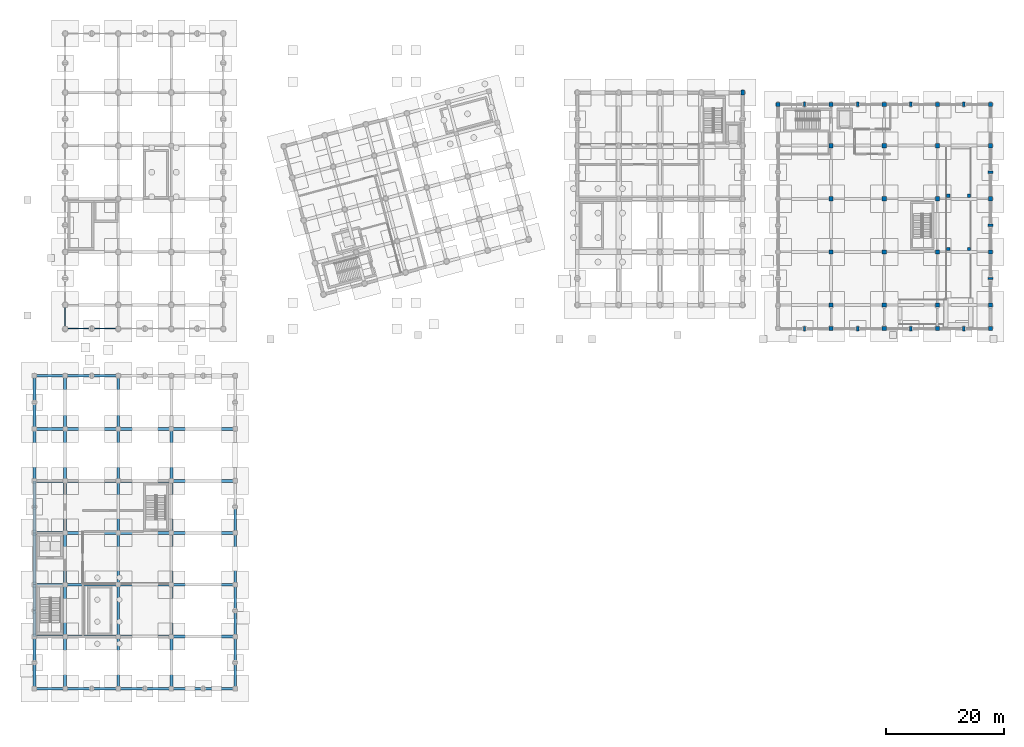
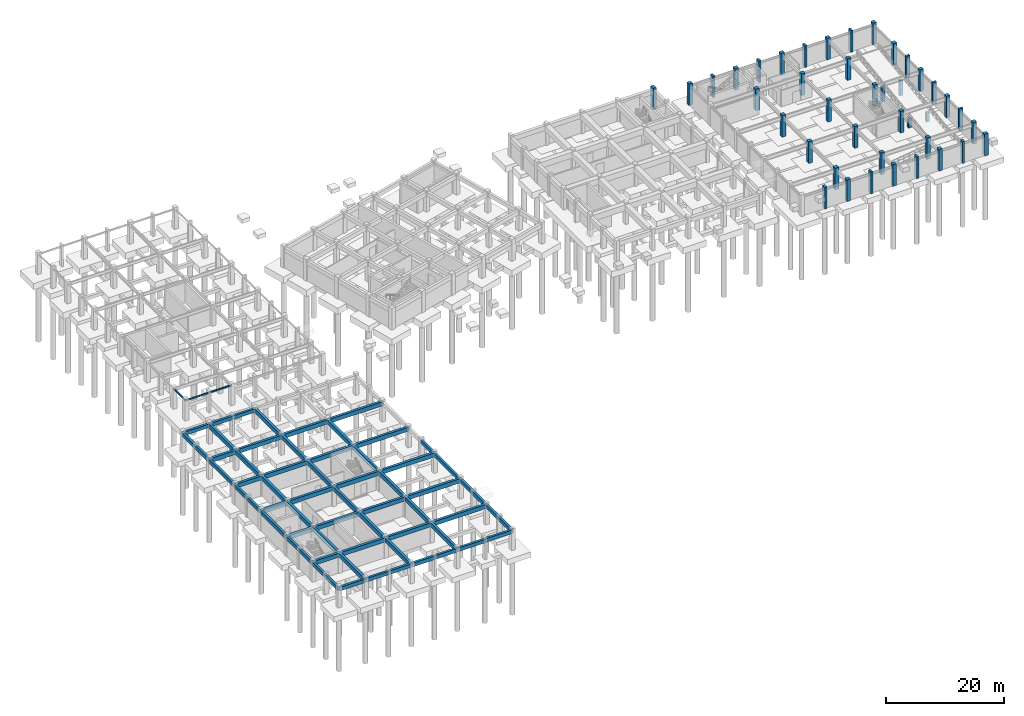
# One storey, part 7 of 20: 66 beams, 41 columns.
"""IFC4 building model written with IfcOpenShell, lengths in metres."""

from ifc_helpers import new_model, si_unit, direction, frame, origin, origin_2d, place, context, subcontext, project, spatial, rectangle, hollow_rectangle, extrude, material, material_profile, profile_set, type_object, element, save


model = new_model("IFC4")

# Units and contexts
model_context = context("Model", 3, precision=1e-05, world=origin(), true_north=direction((0.0, 1.0)))
body_context = subcontext(model_context, "Body", "Model", "MODEL_VIEW")
ifc_project = project(units=[si_unit("LENGTHUNIT", "METRE"), si_unit("AREAUNIT", "SQUARE_METRE"), si_unit("VOLUMEUNIT", "CUBIC_METRE"), si_unit("PLANEANGLEUNIT", "RADIAN"), si_unit("MASSUNIT", "GRAM", prefix="KILO")], contexts=[model_context])

# Site, building, storey
site_placement = place(None, origin())
site = spatial("IfcSite", under=ifc_project, at=site_placement, CompositionType="ELEMENT")
building_placement = place(site_placement, origin())
building = spatial("IfcBuilding", under=site, at=building_placement, Name="Ventoquebrada Cableway Terminal", CompositionType="ELEMENT")
storey_placement = place(building_placement, frame((0.0, 0.0, -4.5)))
storey = spatial("IfcBuildingStorey", under=building, at=storey_placement, Name="B1", CompositionType="ELEMENT", Elevation=-4.5)

# Columns
ifc_material_1 = material(Name="Concrete C40/50", Category="concrete")
ifc_material_profile_1 = material_profile(ifc_material_1, rectangle(XDim=0.550048828125, YDim=0.550048828125, at=origin_2d()), Name="RC-COL-550X550")
ifc_profile_set_1 = profile_set([ifc_material_profile_1], Name="Concrete C40/50")
column_type_1 = type_object("IfcColumnType", Name="COL-RC01", PredefinedType="COLUMN", material=ifc_profile_set_1)
for number, where, z_axis, x_axis, name in (
    (1, (157.85009765625, 77.5, 0.0), (0.0, 0.0, 1.0), (1.0, 0.0, 0.0), "Vehicle ramp support column COL-0778"),
    (2, (161.35009765625, 77.5, 0.0), (0.0, 0.0, 1.0), (1.0, 0.0, 0.0), "Vehicle ramp support column COL-0779"),
):
    element("IfcColumn", number, at=place(storey_placement, frame(where, z_axis=z_axis, x_axis=x_axis)), inside=storey, type_object=column_type_1, Name=name, PredefinedType="COLUMN", context=body_context, shape_type="SweptSolid", body=[
        extrude(rectangle(XDim=0.550048828125, YDim=0.550048828125, at=origin_2d()), origin(), (0.0, 0.0, 1.0), 1.904052734375),
    ])
for number, where, z_axis, x_axis, name in (
    (3, (157.85009765625, 86.5, 0.0), (0.0, 0.0, 1.0), (1.0, 0.0, 0.0), "Vehicle ramp support column COL-0780"),
    (4, (161.35009765625, 86.5, 0.0), (0.0, 0.0, 1.0), (1.0, 0.0, 0.0), "Vehicle ramp support column COL-0781"),
):
    element("IfcColumn", number, at=place(storey_placement, frame(where, z_axis=z_axis, x_axis=x_axis)), inside=storey, type_object=column_type_1, Name=name, PredefinedType="COLUMN", context=body_context, shape_type="SweptSolid", body=[
        extrude(rectangle(XDim=0.550048828125, YDim=0.550048828125, at=origin_2d()), origin(), (0.0, 0.0, 1.0), 3.136962890625),
    ])
ifc_material_profile_2 = material_profile(ifc_material_1, rectangle(XDim=0.699951171875, YDim=0.699951171875, at=origin_2d()), Name="RC-COL-700X700")
ifc_profile_set_2 = profile_set([ifc_material_profile_2], Name="Concrete C40/50")
column_type_2 = type_object("IfcColumnType", Name="COL-RC04", PredefinedType="COLUMN", material=ifc_profile_set_2)
for number, where, z_axis, x_axis, name in (
    (5, (129.0, 102.0, 0.0), (0.0, 0.0, 1.0), (1.0, 0.0, 0.0), "Structural column FC-0538"),
    (6, (138.0, 64.0, 0.0), (0.0, 0.0, 1.0), (1.0, 0.0, 0.0), "Structural column FC-0542"),
    (7, (138.0, 68.0, 0.0), (0.0, 0.0, 1.0), (1.0, 0.0, 0.0), "Structural column FC-0544"),
    (8, (138.0, 77.0, 0.0), (0.0, 0.0, 1.0), (1.0, 0.0, 0.0), "Structural column FC-0546"),
    (9, (138.0, 86.0, 0.0), (0.0, 0.0, 1.0), (1.0, 0.0, 0.0), "Structural column FC-0550"),
    (10, (138.0, 95.0, 0.0), (0.0, 0.0, 1.0), (1.0, 0.0, 0.0), "Structural column FC-0554"),
    (11, (138.0, 102.0, 0.0), (0.0, 0.0, 1.0), (1.0, 0.0, 0.0), "Structural column FC-0558"),
    (12, (147.0, 64.0, 0.0), (0.0, 0.0, 1.0), (1.0, 0.0, 0.0), "Structural column FC-0562"),
    (13, (147.0, 68.0, 0.0), (0.0, 0.0, 1.0), (1.0, 0.0, 0.0), "Structural column FC-0564"),
    (14, (147.0, 77.0, 0.0), (0.0, 0.0, 1.0), (1.0, 0.0, 0.0), "Structural column FC-0566"),
    (15, (147.0, 86.0, 0.0), (0.0, 0.0, 1.0), (1.0, 0.0, 0.0), "Structural column FC-0570"),
    (16, (147.0, 95.0, 0.0), (0.0, 0.0, 1.0), (1.0, 0.0, 0.0), "Structural column FC-0574"),
    (17, (147.0, 102.0, 0.0), (0.0, 0.0, 1.0), (1.0, 0.0, 0.0), "Structural column FC-0578"),
    (18, (156.0, 64.0, 0.0), (0.0, 0.0, 1.0), (1.0, 0.0, 0.0), "Structural column FC-0582"),
    (19, (156.0, 68.0, 0.0), (0.0, 0.0, 1.0), (1.0, 0.0, 0.0), "Structural column FC-0584"),
    (20, (156.0, 77.0, 0.0), (0.0, 0.0, 1.0), (1.0, 0.0, 0.0), "Structural column FC-0586"),
    (21, (156.0, 86.0, 0.0), (0.0, 0.0, 1.0), (1.0, 0.0, 0.0), "Structural column FC-0590"),
    (22, (156.0, 95.0, 0.0), (0.0, 0.0, 1.0), (1.0, 0.0, 0.0), "Structural column FC-0594"),
    (23, (156.0, 102.0, 0.0), (0.0, 0.0, 1.0), (1.0, 0.0, 0.0), "Structural column FC-0598"),
    (24, (165.0, 64.0, 0.0), (0.0, 0.0, 1.0), (1.0, 0.0, 0.0), "Structural column FC-0602"),
    (25, (165.0, 68.0, 0.0), (0.0, 0.0, 1.0), (1.0, 0.0, 0.0), "Structural column FC-0604"),
    (26, (165.0, 77.0, 0.0), (0.0, 0.0, 1.0), (1.0, 0.0, 0.0), "Structural column FC-0606"),
    (27, (165.0, 86.0, 0.0), (0.0, 0.0, 1.0), (1.0, 0.0, 0.0), "Structural column FC-0608"),
    (28, (165.0, 95.0, 0.0), (0.0, 0.0, 1.0), (1.0, 0.0, 0.0), "Structural column FC-0610"),
    (29, (165.0, 102.0, 0.0), (0.0, 0.0, 1.0), (1.0, 0.0, 0.0), "Structural column FC-0612"),
):
    element("IfcColumn", number, at=place(storey_placement, frame(where, z_axis=z_axis, x_axis=x_axis)), inside=storey, type_object=column_type_2, Name=name, PredefinedType="COLUMN", context=body_context, shape_type="SweptSolid", body=[
        extrude(rectangle(XDim=0.699951171875, YDim=0.699951171875, at=origin_2d()), origin(), (0.0, 0.0, 1.0), 4.5),
    ])
ifc_material_profile_3 = material_profile(ifc_material_1, rectangle(XDim=0.60009765625, YDim=0.89990234375, at=origin_2d()), Name="RC-COL-900X600")
ifc_profile_set_3 = profile_set([ifc_material_profile_3], Name="Concrete C40/50")
column_type_3 = type_object("IfcColumnType", Name="COL-RC07", PredefinedType="COLUMN", material=ifc_profile_set_3)
column_placement = place(storey_placement, frame((123.0, 104.0, 0.0), z_axis=(0.0, 0.0, 1.0), x_axis=(1.0, 0.0, 0.0)))
element("IfcColumn", 30, at=column_placement, inside=storey, type_object=column_type_3, Name="Structural column FC-0490", PredefinedType="COLUMN", context=body_context, shape_type="SweptSolid", body=[
    extrude(rectangle(XDim=0.60009765625, YDim=0.89990234375, at=origin_2d()), origin(), (0.0, 0.0, 1.0), 4.5),
])
ifc_material_profile_4 = material_profile(ifc_material_1, rectangle(XDim=0.39990234375, YDim=0.800048828125, at=origin_2d()), Name="RC-PIL-400X800")
ifc_profile_set_4 = profile_set([ifc_material_profile_4], Name="Concrete C40/50")
column_type_4 = type_object("IfcColumnType", Name="PIL-RC01", PredefinedType="PILASTER", material=ifc_profile_set_4)
for number, where, z_axis, x_axis, name in (
    (31, (133.5, 64.0, 0.0), (0.0, 0.0, 1.0), (1.0, 0.0, 0.0), "Facade pilaster FPL-0614"),
    (32, (142.5, 64.0, 0.0), (0.0, 0.0, 1.0), (1.0, 0.0, 0.0), "Facade pilaster FPL-0616"),
    (33, (151.5, 64.0, 0.0), (0.0, 0.0, 1.0), (1.0, 0.0, 0.0), "Facade pilaster FPL-0618"),
    (34, (160.5, 64.0, 0.0), (0.0, 0.0, 1.0), (1.0, 0.0, 0.0), "Facade pilaster FPL-0620"),
    (35, (133.5, 102.0, 0.0), (0.0, 0.0, 1.0), (1.0, 0.0, 0.0), "Facade pilaster FPL-0622"),
    (36, (142.5, 102.0, 0.0), (0.0, 0.0, 1.0), (1.0, 0.0, 0.0), "Facade pilaster FPL-0626"),
    (37, (151.5, 102.0, 0.0), (0.0, 0.0, 1.0), (1.0, 0.0, 0.0), "Facade pilaster FPL-0630"),
    (38, (160.5, 102.0, 0.0), (0.0, 0.0, 1.0), (1.0, 0.0, 0.0), "Facade pilaster FPL-0634"),
    (39, (165.0, 72.5, 0.0), (0.0, 0.0, 1.0), (0.0, 1.0, 0.0), "Facade pilaster FPL-0646"),
    (40, (165.0, 81.5, 0.0), (0.0, 0.0, 1.0), (0.0, 1.0, 0.0), "Facade pilaster FPL-0648"),
    (41, (165.0, 90.5, 0.0), (0.0, 0.0, 1.0), (0.0, 1.0, 0.0), "Facade pilaster FPL-0650"),
):
    element("IfcColumn", number, at=place(storey_placement, frame(where, z_axis=z_axis, x_axis=x_axis)), inside=storey, type_object=column_type_4, Name=name, PredefinedType="PILASTER", context=body_context, shape_type="SweptSolid", body=[
        extrude(rectangle(XDim=0.39990234375, YDim=0.800048828125, at=origin_2d()), origin(), (0.0, 0.0, 1.0), 4.5),
    ])

# Beams
ifc_material_profile_5 = material_profile(ifc_material_1, rectangle(XDim=0.5, YDim=0.85009765625, at=origin_2d()), Name="RC-BM-500X850")
ifc_profile_set_5 = profile_set([ifc_material_profile_5], Name="Concrete C40/50")
beam_type_1 = type_object("IfcBeamType", Name="BM-RC04", PredefinedType="BEAM", material=ifc_profile_set_5)
beam_1_placement = place(storey_placement, frame((3.0, 11.800048828125, 3.715087890625), z_axis=(1.0, 0.0, 0.0), x_axis=(0.0, 1.0, 0.0)))
element("IfcBeam", 42, at=beam_1_placement, inside=storey, type_object=beam_type_1, Name="Primary frame girder FBM-0008", PredefinedType="BEAM", context=body_context, shape_type="SweptSolid", body=[
    extrude(rectangle(XDim=0.5, YDim=0.85009765625, at=origin_2d()), origin(), (0.0, 0.0, 1.0), 5.199951171875),
])
for number, where, z_axis, x_axis, name in (
    (43, (8.199951171875, 11.800048828125, 3.715087890625), (1.0, 0.0, 0.0), (0.0, 1.0, 0.0), "Primary frame girder FBM-0009"),
    (44, (17.199951171875, 11.800048828125, 3.715087890625), (1.0, 0.0, 0.0), (0.0, 1.0, 0.0), "Primary frame girder FBM-0010"),
):
    element("IfcBeam", number, at=place(storey_placement, frame(where, z_axis=z_axis, x_axis=x_axis)), inside=storey, type_object=beam_type_1, Name=name, PredefinedType="BEAM", context=body_context, shape_type="SweptSolid", body=[
        extrude(rectangle(XDim=0.5, YDim=0.85009765625, at=origin_2d()), origin(), (0.0, 0.0, 1.0), 9.0),
    ])
beam_2_placement = place(storey_placement, frame((26.199951171875, 11.800048828125, 3.715087890625), z_axis=(1.0, 0.0, 0.0), x_axis=(0.0, 1.0, 0.0)))
element("IfcBeam", 45, at=beam_2_placement, inside=storey, type_object=beam_type_1, Name="Primary frame girder FBM-0011", PredefinedType="BEAM", context=body_context, shape_type="SweptSolid", body=[
    extrude(rectangle(XDim=0.5, YDim=0.85009765625, at=origin_2d()), origin(), (0.0, 0.0, 1.0), 10.800048828125),
])
beam_3_placement = place(storey_placement, frame((3.0, 20.60009765625, 3.715087890625), z_axis=(1.0, 0.0, 0.0), x_axis=(0.0, 1.0, 0.0)))
element("IfcBeam", 46, at=beam_3_placement, inside=storey, type_object=beam_type_1, Name="Primary frame girder FBM-0012", PredefinedType="BEAM", context=body_context, shape_type="SweptSolid", body=[
    extrude(rectangle(XDim=0.5, YDim=0.85009765625, at=origin_2d()), origin(), (0.0, 0.0, 1.0), 5.199951171875),
])
for number, where, z_axis, x_axis, name in (
    (47, (8.199951171875, 20.60009765625, 3.715087890625), (1.0, 0.0, 0.0), (0.0, 1.0, 0.0), "Primary frame girder FBM-0013"),
    (48, (17.199951171875, 20.60009765625, 3.715087890625), (1.0, 0.0, 0.0), (0.0, 1.0, 0.0), "Primary frame girder FBM-0014"),
):
    element("IfcBeam", number, at=place(storey_placement, frame(where, z_axis=z_axis, x_axis=x_axis)), inside=storey, type_object=beam_type_1, Name=name, PredefinedType="BEAM", context=body_context, shape_type="SweptSolid", body=[
        extrude(rectangle(XDim=0.5, YDim=0.85009765625, at=origin_2d()), origin(), (0.0, 0.0, 1.0), 9.0),
    ])
beam_4_placement = place(storey_placement, frame((26.199951171875, 20.60009765625, 3.715087890625), z_axis=(1.0, 0.0, 0.0), x_axis=(0.0, 1.0, 0.0)))
element("IfcBeam", 49, at=beam_4_placement, inside=storey, type_object=beam_type_1, Name="Primary frame girder FBM-0015", PredefinedType="BEAM", context=body_context, shape_type="SweptSolid", body=[
    extrude(rectangle(XDim=0.5, YDim=0.85009765625, at=origin_2d()), origin(), (0.0, 0.0, 1.0), 10.800048828125),
])
beam_5_placement = place(storey_placement, frame((3.0, 29.39990234375, 3.715087890625), z_axis=(1.0, 0.0, 0.0), x_axis=(0.0, 1.0, 0.0)))
element("IfcBeam", 50, at=beam_5_placement, inside=storey, type_object=beam_type_1, Name="Primary frame girder FBM-0016", PredefinedType="BEAM", context=body_context, shape_type="SweptSolid", body=[
    extrude(rectangle(XDim=0.5, YDim=0.85009765625, at=origin_2d()), origin(), (0.0, 0.0, 1.0), 5.199951171875),
])
for number, where, z_axis, x_axis, name in (
    (51, (8.199951171875, 29.39990234375, 3.715087890625), (1.0, 0.0, 0.0), (0.0, 1.0, 0.0), "Primary frame girder FBM-0017"),
    (52, (17.199951171875, 29.39990234375, 3.715087890625), (1.0, 0.0, 0.0), (0.0, 1.0, 0.0), "Primary frame girder FBM-0018"),
):
    element("IfcBeam", number, at=place(storey_placement, frame(where, z_axis=z_axis, x_axis=x_axis)), inside=storey, type_object=beam_type_1, Name=name, PredefinedType="BEAM", context=body_context, shape_type="SweptSolid", body=[
        extrude(rectangle(XDim=0.5, YDim=0.85009765625, at=origin_2d()), origin(), (0.0, 0.0, 1.0), 9.0),
    ])
beam_6_placement = place(storey_placement, frame((26.199951171875, 29.39990234375, 3.715087890625), z_axis=(1.0, 0.0, 0.0), x_axis=(0.0, 1.0, 0.0)))
element("IfcBeam", 53, at=beam_6_placement, inside=storey, type_object=beam_type_1, Name="Primary frame girder FBM-0019", PredefinedType="BEAM", context=body_context, shape_type="SweptSolid", body=[
    extrude(rectangle(XDim=0.5, YDim=0.85009765625, at=origin_2d()), origin(), (0.0, 0.0, 1.0), 10.800048828125),
])
beam_7_placement = place(storey_placement, frame((3.0, 38.199951171875, 3.715087890625), z_axis=(1.0, 0.0, 0.0), x_axis=(0.0, 1.0, 0.0)))
element("IfcBeam", 54, at=beam_7_placement, inside=storey, type_object=beam_type_1, Name="Primary frame girder FBM-0020", PredefinedType="BEAM", context=body_context, shape_type="SweptSolid", body=[
    extrude(rectangle(XDim=0.5, YDim=0.85009765625, at=origin_2d()), origin(), (0.0, 0.0, 1.0), 5.199951171875),
])
for number, where, z_axis, x_axis, name in (
    (55, (8.199951171875, 38.199951171875, 3.715087890625), (1.0, 0.0, 0.0), (0.0, 1.0, 0.0), "Primary frame girder FBM-0021"),
    (56, (17.199951171875, 38.199951171875, 3.715087890625), (1.0, 0.0, 0.0), (0.0, 1.0, 0.0), "Primary frame girder FBM-0022"),
):
    element("IfcBeam", number, at=place(storey_placement, frame(where, z_axis=z_axis, x_axis=x_axis)), inside=storey, type_object=beam_type_1, Name=name, PredefinedType="BEAM", context=body_context, shape_type="SweptSolid", body=[
        extrude(rectangle(XDim=0.5, YDim=0.85009765625, at=origin_2d()), origin(), (0.0, 0.0, 1.0), 9.0),
    ])
beam_8_placement = place(storey_placement, frame((26.199951171875, 38.199951171875, 3.715087890625), z_axis=(1.0, 0.0, 0.0), x_axis=(0.0, 1.0, 0.0)))
element("IfcBeam", 57, at=beam_8_placement, inside=storey, type_object=beam_type_1, Name="Primary frame girder FBM-0023", PredefinedType="BEAM", context=body_context, shape_type="SweptSolid", body=[
    extrude(rectangle(XDim=0.5, YDim=0.85009765625, at=origin_2d()), origin(), (0.0, 0.0, 1.0), 10.800048828125),
])
beam_9_placement = place(storey_placement, frame((3.0, 47.0, 3.655029296875), z_axis=(1.0, 0.0, 0.0), x_axis=(0.0, 1.0, 0.0)))
element("IfcBeam", 58, at=beam_9_placement, inside=storey, type_object=beam_type_1, Name="Primary frame girder FBM-0024", PredefinedType="BEAM", context=body_context, shape_type="SweptSolid", body=[
    extrude(rectangle(XDim=0.5, YDim=0.85009765625, at=origin_2d()), origin(), (0.0, 0.0, 1.0), 5.199951171875),
])
for number, where, z_axis, x_axis, name in (
    (59, (8.199951171875, 47.0, 3.655029296875), (1.0, 0.0, 0.0), (0.0, 1.0, 0.0), "Primary frame girder FBM-0025"),
    (60, (17.199951171875, 47.0, 3.655029296875), (1.0, 0.0, 0.0), (0.0, 1.0, 0.0), "Primary frame girder FBM-0026"),
):
    element("IfcBeam", number, at=place(storey_placement, frame(where, z_axis=z_axis, x_axis=x_axis)), inside=storey, type_object=beam_type_1, Name=name, PredefinedType="BEAM", context=body_context, shape_type="SweptSolid", body=[
        extrude(rectangle(XDim=0.5, YDim=0.85009765625, at=origin_2d()), origin(), (0.0, 0.0, 1.0), 9.0),
    ])
beam_10_placement = place(storey_placement, frame((26.199951171875, 47.0, 3.655029296875), z_axis=(1.0, 0.0, 0.0), x_axis=(0.0, 1.0, 0.0)))
element("IfcBeam", 61, at=beam_10_placement, inside=storey, type_object=beam_type_1, Name="Primary frame girder FBM-0027", PredefinedType="BEAM", context=body_context, shape_type="SweptSolid", body=[
    extrude(rectangle(XDim=0.5, YDim=0.85009765625, at=origin_2d()), origin(), (0.0, 0.0, 1.0), 10.800048828125),
])
for number, where, z_axis, x_axis, name in (
    (62, (8.199951171875, 3.0, 3.715087890625), (0.0, 1.0, 0.0), (-1.0, 0.0, 0.0), "Primary frame girder FBM-0045"),
    (63, (8.199951171875, 11.800048828125, 3.715087890625), (0.0, 1.0, 0.0), (-1.0, 0.0, 0.0), "Primary frame girder FBM-0046"),
):
    element("IfcBeam", number, at=place(storey_placement, frame(where, z_axis=z_axis, x_axis=x_axis)), inside=storey, type_object=beam_type_1, Name=name, PredefinedType="BEAM", context=body_context, shape_type="SweptSolid", body=[
        extrude(rectangle(XDim=0.5, YDim=0.85009765625, at=origin_2d()), origin(), (0.0, 0.0, 1.0), 8.800048828125),
    ])
beam_11_placement = place(storey_placement, frame((8.199951171875, 20.60009765625, 3.715087890625), z_axis=(0.0, 1.0, 0.0), x_axis=(-1.0, 0.0, 0.0)))
element("IfcBeam", 64, at=beam_11_placement, inside=storey, type_object=beam_type_1, Name="Primary frame girder FBM-0047", PredefinedType="BEAM", context=body_context, shape_type="SweptSolid", body=[
    extrude(rectangle(XDim=0.5, YDim=0.85009765625, at=origin_2d()), origin(), (0.0, 0.0, 1.0), 8.7998046875),
])
for number, where, z_axis, x_axis, name in (
    (65, (8.199951171875, 29.39990234375, 3.715087890625), (0.0, 1.0, 0.0), (-1.0, 0.0, 0.0), "Primary frame girder FBM-0048"),
    (66, (8.199951171875, 38.199951171875, 3.715087890625), (0.0, 1.0, 0.0), (-1.0, 0.0, 0.0), "Primary frame girder FBM-0049"),
):
    element("IfcBeam", number, at=place(storey_placement, frame(where, z_axis=z_axis, x_axis=x_axis)), inside=storey, type_object=beam_type_1, Name=name, PredefinedType="BEAM", context=body_context, shape_type="SweptSolid", body=[
        extrude(rectangle(XDim=0.5, YDim=0.85009765625, at=origin_2d()), origin(), (0.0, 0.0, 1.0), 8.800048828125),
    ])
beam_12_placement = place(storey_placement, frame((8.199951171875, 47.0, 3.655029296875), z_axis=(0.0, 1.0, 0.0), x_axis=(-1.0, 0.0, 0.0)))
element("IfcBeam", 67, at=beam_12_placement, inside=storey, type_object=beam_type_1, Name="Primary frame girder FBM-0050", PredefinedType="BEAM", context=body_context, shape_type="SweptSolid", body=[
    extrude(rectangle(XDim=0.5, YDim=0.85009765625, at=origin_2d()), origin(), (0.0, 0.0, 1.0), 9.0),
])
for number, where, z_axis, x_axis, name in (
    (68, (17.199951171875, 3.0, 3.715087890625), (0.0, 1.0, 0.0), (-1.0, 0.0, 0.0), "Primary frame girder FBM-0051"),
    (69, (17.199951171875, 11.800048828125, 3.715087890625), (0.0, 1.0, 0.0), (-1.0, 0.0, 0.0), "Primary frame girder FBM-0052"),
):
    element("IfcBeam", number, at=place(storey_placement, frame(where, z_axis=z_axis, x_axis=x_axis)), inside=storey, type_object=beam_type_1, Name=name, PredefinedType="BEAM", context=body_context, shape_type="SweptSolid", body=[
        extrude(rectangle(XDim=0.5, YDim=0.85009765625, at=origin_2d()), origin(), (0.0, 0.0, 1.0), 8.800048828125),
    ])
beam_13_placement = place(storey_placement, frame((17.199951171875, 20.60009765625, 3.715087890625), z_axis=(0.0, 1.0, 0.0), x_axis=(-1.0, 0.0, 0.0)))
element("IfcBeam", 70, at=beam_13_placement, inside=storey, type_object=beam_type_1, Name="Primary frame girder FBM-0053", PredefinedType="BEAM", context=body_context, shape_type="SweptSolid", body=[
    extrude(rectangle(XDim=0.5, YDim=0.85009765625, at=origin_2d()), origin(), (0.0, 0.0, 1.0), 8.7998046875),
])
for number, where, z_axis, x_axis, name in (
    (71, (17.199951171875, 29.39990234375, 3.715087890625), (0.0, 1.0, 0.0), (-1.0, 0.0, 0.0), "Primary frame girder FBM-0054"),
    (72, (17.199951171875, 38.199951171875, 3.715087890625), (0.0, 1.0, 0.0), (-1.0, 0.0, 0.0), "Primary frame girder FBM-0055"),
):
    element("IfcBeam", number, at=place(storey_placement, frame(where, z_axis=z_axis, x_axis=x_axis)), inside=storey, type_object=beam_type_1, Name=name, PredefinedType="BEAM", context=body_context, shape_type="SweptSolid", body=[
        extrude(rectangle(XDim=0.5, YDim=0.85009765625, at=origin_2d()), origin(), (0.0, 0.0, 1.0), 8.800048828125),
    ])
beam_14_placement = place(storey_placement, frame((17.199951171875, 47.0, 3.655029296875), z_axis=(0.0, 1.0, 0.0), x_axis=(-1.0, 0.0, 0.0)))
element("IfcBeam", 73, at=beam_14_placement, inside=storey, type_object=beam_type_1, Name="Primary frame girder FBM-0056", PredefinedType="BEAM", context=body_context, shape_type="SweptSolid", body=[
    extrude(rectangle(XDim=0.5, YDim=0.85009765625, at=origin_2d()), origin(), (0.0, 0.0, 1.0), 9.0),
])
for number, where, z_axis, x_axis, name in (
    (74, (26.199951171875, 3.0, 3.715087890625), (0.0, 1.0, 0.0), (-1.0, 0.0, 0.0), "Primary frame girder FBM-0057"),
    (75, (26.199951171875, 11.800048828125, 3.715087890625), (0.0, 1.0, 0.0), (-1.0, 0.0, 0.0), "Primary frame girder FBM-0058"),
):
    element("IfcBeam", number, at=place(storey_placement, frame(where, z_axis=z_axis, x_axis=x_axis)), inside=storey, type_object=beam_type_1, Name=name, PredefinedType="BEAM", context=body_context, shape_type="SweptSolid", body=[
        extrude(rectangle(XDim=0.5, YDim=0.85009765625, at=origin_2d()), origin(), (0.0, 0.0, 1.0), 8.800048828125),
    ])
beam_15_placement = place(storey_placement, frame((26.199951171875, 20.60009765625, 3.715087890625), z_axis=(0.0, 1.0, 0.0), x_axis=(-1.0, 0.0, 0.0)))
element("IfcBeam", 76, at=beam_15_placement, inside=storey, type_object=beam_type_1, Name="Primary frame girder FBM-0059", PredefinedType="BEAM", context=body_context, shape_type="SweptSolid", body=[
    extrude(rectangle(XDim=0.5, YDim=0.85009765625, at=origin_2d()), origin(), (0.0, 0.0, 1.0), 8.7998046875),
])
for number, where, z_axis, x_axis, name in (
    (77, (26.199951171875, 29.39990234375, 3.715087890625), (0.0, 1.0, 0.0), (-1.0, 0.0, 0.0), "Primary frame girder FBM-0060"),
    (78, (26.199951171875, 38.199951171875, 3.715087890625), (0.0, 1.0, 0.0), (-1.0, 0.0, 0.0), "Primary frame girder FBM-0061"),
):
    element("IfcBeam", number, at=place(storey_placement, frame(where, z_axis=z_axis, x_axis=x_axis)), inside=storey, type_object=beam_type_1, Name=name, PredefinedType="BEAM", context=body_context, shape_type="SweptSolid", body=[
        extrude(rectangle(XDim=0.5, YDim=0.85009765625, at=origin_2d()), origin(), (0.0, 0.0, 1.0), 8.800048828125),
    ])
ifc_material_profile_6 = material_profile(ifc_material_1, rectangle(XDim=0.449951171875, YDim=0.75, at=origin_2d()), Name="RC-BM-450X750")
ifc_profile_set_6 = profile_set([ifc_material_profile_6], Name="Concrete C40/50")
beam_type_2 = type_object("IfcBeamType", Name="SP-RC02", PredefinedType="SPANDREL", material=ifc_profile_set_6)
beam_16_placement = place(storey_placement, frame((3.0, 3.0, 3.705078125), z_axis=(1.0, 0.0, 0.0), x_axis=(0.0, 1.0, 0.0)))
element("IfcBeam", 79, at=beam_16_placement, inside=storey, type_object=beam_type_2, Name="Perimeter spandrel beam FBM-0001", PredefinedType="SPANDREL", context=body_context, shape_type="SweptSolid", body=[
    extrude(rectangle(XDim=0.449951171875, YDim=0.75, at=origin_2d()), origin(), (0.0, 0.0, 1.0), 5.199951171875),
])
for number, where, z_axis, x_axis, name in (
    (80, (8.199951171875, 3.0, 3.705078125), (1.0, 0.0, 0.0), (0.0, 1.0, 0.0), "Perimeter spandrel beam FBM-0002"),
    (81, (12.699951171875, 3.0, 3.705078125), (1.0, 0.0, 0.0), (0.0, 1.0, 0.0), "Perimeter spandrel beam FBM-0003"),
    (82, (17.199951171875, 3.0, 3.705078125), (1.0, 0.0, 0.0), (0.0, 1.0, 0.0), "Perimeter spandrel beam FBM-0004"),
    (83, (21.699951171875, 3.0, 3.705078125), (1.0, 0.0, 0.0), (0.0, 1.0, 0.0), "Perimeter spandrel beam FBM-0005"),
):
    element("IfcBeam", number, at=place(storey_placement, frame(where, z_axis=z_axis, x_axis=x_axis)), inside=storey, type_object=beam_type_2, Name=name, PredefinedType="SPANDREL", context=body_context, shape_type="SweptSolid", body=[
        extrude(rectangle(XDim=0.449951171875, YDim=0.75, at=origin_2d()), origin(), (0.0, 0.0, 1.0), 4.5),
    ])
beam_17_placement = place(storey_placement, frame((26.199951171875, 3.0, 3.705078125), z_axis=(1.0, 0.0, 0.0), x_axis=(0.0, 1.0, 0.0)))
element("IfcBeam", 84, at=beam_17_placement, inside=storey, type_object=beam_type_2, Name="Perimeter spandrel beam FBM-0006", PredefinedType="SPANDREL", context=body_context, shape_type="SweptSolid", body=[
    extrude(rectangle(XDim=0.449951171875, YDim=0.75, at=origin_2d()), origin(), (0.0, 0.0, 1.0), 5.400146484375),
])
beam_18_placement = place(storey_placement, frame((31.60009765625, 3.0, 3.764892578125), z_axis=(1.0, 0.0, 0.0), x_axis=(0.0, 1.0, 0.0)))
element("IfcBeam", 85, at=beam_18_placement, inside=storey, type_object=beam_type_2, Name="Perimeter spandrel beam FBM-0007", PredefinedType="SPANDREL", context=body_context, shape_type="SweptSolid", body=[
    extrude(rectangle(XDim=0.449951171875, YDim=0.75, at=origin_2d()), origin(), (0.0, 0.0, 1.0), 5.39990234375),
])
beam_19_placement = place(storey_placement, frame((3.0, 56.0, 3.705078125), z_axis=(1.0, 0.0, 0.0), x_axis=(0.0, 1.0, 0.0)))
element("IfcBeam", 86, at=beam_19_placement, inside=storey, type_object=beam_type_2, Name="Perimeter spandrel beam FBM-0028", PredefinedType="SPANDREL", context=body_context, shape_type="SweptSolid", body=[
    extrude(rectangle(XDim=0.449951171875, YDim=0.75, at=origin_2d()), origin(), (0.0, 0.0, 1.0), 5.199951171875),
])
for number, where, z_axis, x_axis, name in (
    (87, (8.199951171875, 56.0, 3.705078125), (1.0, 0.0, 0.0), (0.0, 1.0, 0.0), "Perimeter spandrel beam FBM-0029"),
    (88, (12.699951171875, 56.0, 3.705078125), (1.0, 0.0, 0.0), (0.0, 1.0, 0.0), "Perimeter spandrel beam FBM-0030"),
):
    element("IfcBeam", number, at=place(storey_placement, frame(where, z_axis=z_axis, x_axis=x_axis)), inside=storey, type_object=beam_type_2, Name=name, PredefinedType="SPANDREL", context=body_context, shape_type="SweptSolid", body=[
        extrude(rectangle(XDim=0.449951171875, YDim=0.75, at=origin_2d()), origin(), (0.0, 0.0, 1.0), 4.5),
    ])
beam_20_placement = place(storey_placement, frame((3.0, 3.0, 3.705078125), z_axis=(0.0, 1.0, 0.0), x_axis=(-1.0, 0.0, 0.0)))
element("IfcBeam", 89, at=beam_20_placement, inside=storey, type_object=beam_type_2, Name="Perimeter spandrel beam FBM-0035", PredefinedType="SPANDREL", context=body_context, shape_type="SweptSolid", body=[
    extrude(rectangle(XDim=0.449951171875, YDim=0.75, at=origin_2d()), origin(), (0.0, 0.0, 1.0), 4.39990234375),
])
beam_21_placement = place(storey_placement, frame((3.0, 7.39990234375, 3.705078125), z_axis=(0.0, 1.0, 0.0), x_axis=(-1.0, 0.0, 0.0)))
element("IfcBeam", 90, at=beam_21_placement, inside=storey, type_object=beam_type_2, Name="Perimeter spandrel beam FBM-0036", PredefinedType="SPANDREL", context=body_context, shape_type="SweptSolid", body=[
    extrude(rectangle(XDim=0.449951171875, YDim=0.75, at=origin_2d()), origin(), (0.0, 0.0, 1.0), 4.400146484375),
])
beam_22_placement = place(storey_placement, frame((3.0, 11.800048828125, 3.705078125), z_axis=(0.0, 1.0, 0.0), x_axis=(-1.0, 0.0, 0.0)))
element("IfcBeam", 91, at=beam_22_placement, inside=storey, type_object=beam_type_2, Name="Perimeter spandrel beam FBM-0037", PredefinedType="SPANDREL", context=body_context, shape_type="SweptSolid", body=[
    extrude(rectangle(XDim=0.449951171875, YDim=0.75, at=origin_2d()), origin(), (0.0, 0.0, 1.0), 4.39990234375),
])
beam_23_placement = place(storey_placement, frame((3.0, 16.199951171875, 3.705078125), z_axis=(0.0, 1.0, 0.0), x_axis=(-1.0, 0.0, 0.0)))
element("IfcBeam", 92, at=beam_23_placement, inside=storey, type_object=beam_type_2, Name="Perimeter spandrel beam FBM-0038", PredefinedType="SPANDREL", context=body_context, shape_type="SweptSolid", body=[
    extrude(rectangle(XDim=0.449951171875, YDim=0.75, at=origin_2d()), origin(), (0.0, 0.0, 1.0), 4.400146484375),
])
beam_24_placement = place(storey_placement, frame((3.0, 20.60009765625, 3.705078125), z_axis=(0.0, 1.0, 0.0), x_axis=(-1.0, 0.0, 0.0)))
element("IfcBeam", 93, at=beam_24_placement, inside=storey, type_object=beam_type_2, Name="Perimeter spandrel beam FBM-0039", PredefinedType="SPANDREL", context=body_context, shape_type="SweptSolid", body=[
    extrude(rectangle(XDim=0.449951171875, YDim=0.75, at=origin_2d()), origin(), (0.0, 0.0, 1.0), 8.7998046875),
])
beam_25_placement = place(storey_placement, frame((3.0, 29.39990234375, 3.705078125), z_axis=(0.0, 1.0, 0.0), x_axis=(-1.0, 0.0, 0.0)))
element("IfcBeam", 94, at=beam_25_placement, inside=storey, type_object=beam_type_2, Name="Perimeter spandrel beam FBM-0040", PredefinedType="SPANDREL", context=body_context, shape_type="SweptSolid", body=[
    extrude(rectangle(XDim=0.449951171875, YDim=0.75, at=origin_2d()), origin(), (0.0, 0.0, 1.0), 4.400146484375),
])
beam_26_placement = place(storey_placement, frame((3.0, 33.800048828125, 3.705078125), z_axis=(0.0, 1.0, 0.0), x_axis=(-1.0, 0.0, 0.0)))
element("IfcBeam", 95, at=beam_26_placement, inside=storey, type_object=beam_type_2, Name="Perimeter spandrel beam FBM-0041", PredefinedType="SPANDREL", context=body_context, shape_type="SweptSolid", body=[
    extrude(rectangle(XDim=0.449951171875, YDim=0.75, at=origin_2d()), origin(), (0.0, 0.0, 1.0), 4.39990234375),
])
beam_27_placement = place(storey_placement, frame((3.0, 38.199951171875, 3.705078125), z_axis=(0.0, 1.0, 0.0), x_axis=(-1.0, 0.0, 0.0)))
element("IfcBeam", 96, at=beam_27_placement, inside=storey, type_object=beam_type_2, Name="Perimeter spandrel beam FBM-0042", PredefinedType="SPANDREL", context=body_context, shape_type="SweptSolid", body=[
    extrude(rectangle(XDim=0.449951171875, YDim=0.75, at=origin_2d()), origin(), (0.0, 0.0, 1.0), 8.800048828125),
])
for number, where, z_axis, x_axis, name in (
    (97, (3.0, 47.0, 3.705078125), (0.0, 1.0, 0.0), (-1.0, 0.0, 0.0), "Perimeter spandrel beam FBM-0043"),
    (98, (3.0, 51.5, 3.705078125), (0.0, 1.0, 0.0), (-1.0, 0.0, 0.0), "Perimeter spandrel beam FBM-0044"),
):
    element("IfcBeam", number, at=place(storey_placement, frame(where, z_axis=z_axis, x_axis=x_axis)), inside=storey, type_object=beam_type_2, Name=name, PredefinedType="SPANDREL", context=body_context, shape_type="SweptSolid", body=[
        extrude(rectangle(XDim=0.449951171875, YDim=0.75, at=origin_2d()), origin(), (0.0, 0.0, 1.0), 4.5),
    ])
beam_28_placement = place(storey_placement, frame((37.0, 3.0, 3.764892578125), z_axis=(0.0, 1.0, 0.0), x_axis=(-1.0, 0.0, 0.0)))
element("IfcBeam", 99, at=beam_28_placement, inside=storey, type_object=beam_type_2, Name="Perimeter spandrel beam FBM-0063", PredefinedType="SPANDREL", context=body_context, shape_type="SweptSolid", body=[
    extrude(rectangle(XDim=0.449951171875, YDim=0.75, at=origin_2d()), origin(), (0.0, 0.0, 1.0), 4.39990234375),
])
beam_29_placement = place(storey_placement, frame((37.0, 7.39990234375, 3.764892578125), z_axis=(0.0, 1.0, 0.0), x_axis=(-1.0, 0.0, 0.0)))
element("IfcBeam", 100, at=beam_29_placement, inside=storey, type_object=beam_type_2, Name="Perimeter spandrel beam FBM-0064", PredefinedType="SPANDREL", context=body_context, shape_type="SweptSolid", body=[
    extrude(rectangle(XDim=0.449951171875, YDim=0.75, at=origin_2d()), origin(), (0.0, 0.0, 1.0), 4.400146484375),
])
beam_30_placement = place(storey_placement, frame((37.0, 11.800048828125, 3.705078125), z_axis=(0.0, 1.0, 0.0), x_axis=(-1.0, 0.0, 0.0)))
element("IfcBeam", 101, at=beam_30_placement, inside=storey, type_object=beam_type_2, Name="Perimeter spandrel beam FBM-0065", PredefinedType="SPANDREL", context=body_context, shape_type="SweptSolid", body=[
    extrude(rectangle(XDim=0.449951171875, YDim=0.75, at=origin_2d()), origin(), (0.0, 0.0, 1.0), 4.39990234375),
])
beam_31_placement = place(storey_placement, frame((37.0, 16.199951171875, 3.705078125), z_axis=(0.0, 1.0, 0.0), x_axis=(-1.0, 0.0, 0.0)))
element("IfcBeam", 102, at=beam_31_placement, inside=storey, type_object=beam_type_2, Name="Perimeter spandrel beam FBM-0066", PredefinedType="SPANDREL", context=body_context, shape_type="SweptSolid", body=[
    extrude(rectangle(XDim=0.449951171875, YDim=0.75, at=origin_2d()), origin(), (0.0, 0.0, 1.0), 4.400146484375),
])
beam_32_placement = place(storey_placement, frame((37.0, 20.60009765625, 3.705078125), z_axis=(0.0, 1.0, 0.0), x_axis=(-1.0, 0.0, 0.0)))
element("IfcBeam", 103, at=beam_32_placement, inside=storey, type_object=beam_type_2, Name="Perimeter spandrel beam FBM-0067", PredefinedType="SPANDREL", context=body_context, shape_type="SweptSolid", body=[
    extrude(rectangle(XDim=0.449951171875, YDim=0.75, at=origin_2d()), origin(), (0.0, 0.0, 1.0), 8.7998046875),
])
beam_33_placement = place(storey_placement, frame((37.0, 29.39990234375, 3.705078125), z_axis=(0.0, 1.0, 0.0), x_axis=(-1.0, 0.0, 0.0)))
element("IfcBeam", 104, at=beam_33_placement, inside=storey, type_object=beam_type_2, Name="Perimeter spandrel beam FBM-0068", PredefinedType="SPANDREL", context=body_context, shape_type="SweptSolid", body=[
    extrude(rectangle(XDim=0.449951171875, YDim=0.75, at=origin_2d()), origin(), (0.0, 0.0, 1.0), 4.400146484375),
])
ifc_material_2 = material(Name="Steel ASTM A500 Grade C", Category="steel")
ifc_material_profile_7 = material_profile(ifc_material_2, hollow_rectangle(XDim=0.199951171875, YDim=0.300048828125, WallThickness=0.012451171875, at=origin_2d()), Name="RHS300X200X12.5")
ifc_profile_set_7 = profile_set([ifc_material_profile_7], Name="Steel ASTM A500 Grade C")
beam_type_3 = type_object("IfcBeamType", Name="SP-ST02", PredefinedType="SPANDREL", material=ifc_profile_set_7)
for number, where, z_axis, x_axis, name in (
    (105, (8.199951171875, 64.0, 3.929931640625), (1.0, 0.0, 0.0), (0.0, 1.0, 0.0), "Perimeter spandrel beam FBM-0255"),
    (106, (12.699951171875, 64.0, 3.929931640625), (1.0, 0.0, 0.0), (0.0, 1.0, 0.0), "Perimeter spandrel beam FBM-0256"),
):
    element("IfcBeam", number, at=place(storey_placement, frame(where, z_axis=z_axis, x_axis=x_axis)), inside=storey, type_object=beam_type_3, Name=name, PredefinedType="SPANDREL", context=body_context, shape_type="SweptSolid", body=[
        extrude(hollow_rectangle(XDim=0.199951171875, YDim=0.300048828125, WallThickness=0.012451171875, at=origin_2d()), origin(), (0.0, 0.0, 1.0), 4.5),
    ])
beam_34_placement = place(storey_placement, frame((8.199951171875, 64.0, 3.929931640625), z_axis=(0.0, 1.0, 0.0), x_axis=(-1.0, 0.0, 0.0)))
element("IfcBeam", 107, at=beam_34_placement, inside=storey, type_object=beam_type_3, Name="Perimeter spandrel beam FBM-0282", PredefinedType="SPANDREL", context=body_context, shape_type="SweptSolid", body=[
    extrude(hollow_rectangle(XDim=0.199951171875, YDim=0.300048828125, WallThickness=0.012451171875, at=origin_2d()), origin(), (0.0, 0.0, 1.0), 4.0),
])

save(model, "model.ifc")
